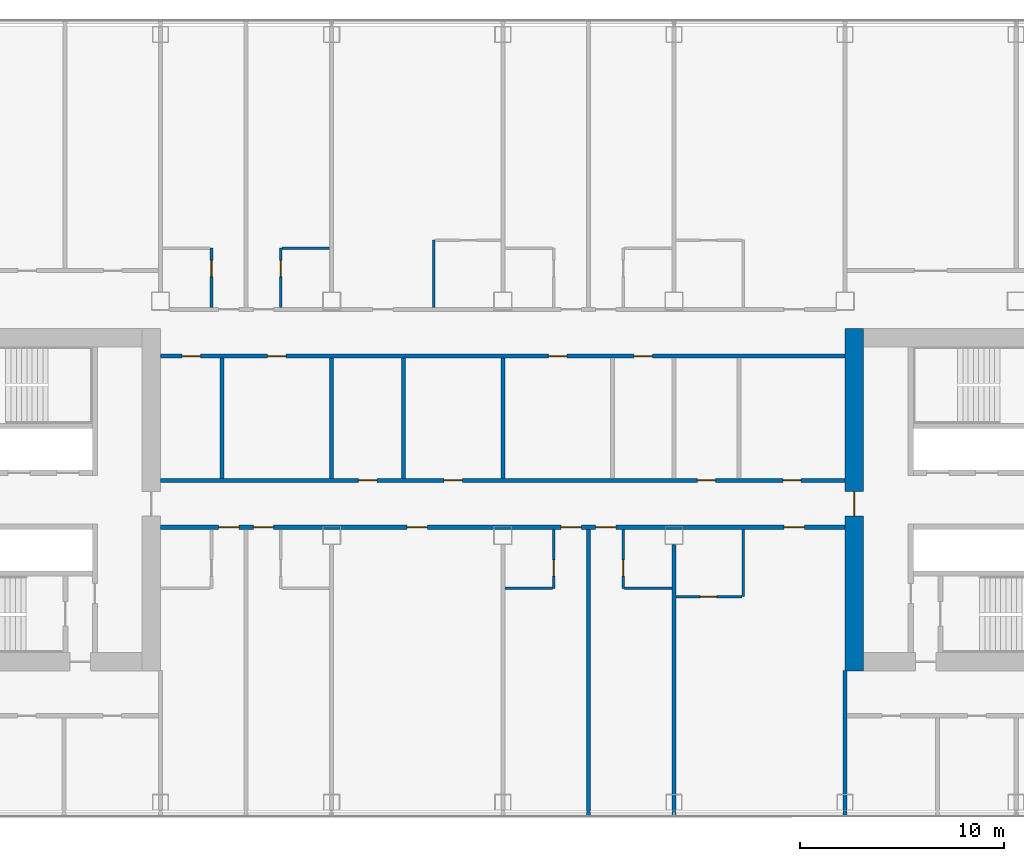
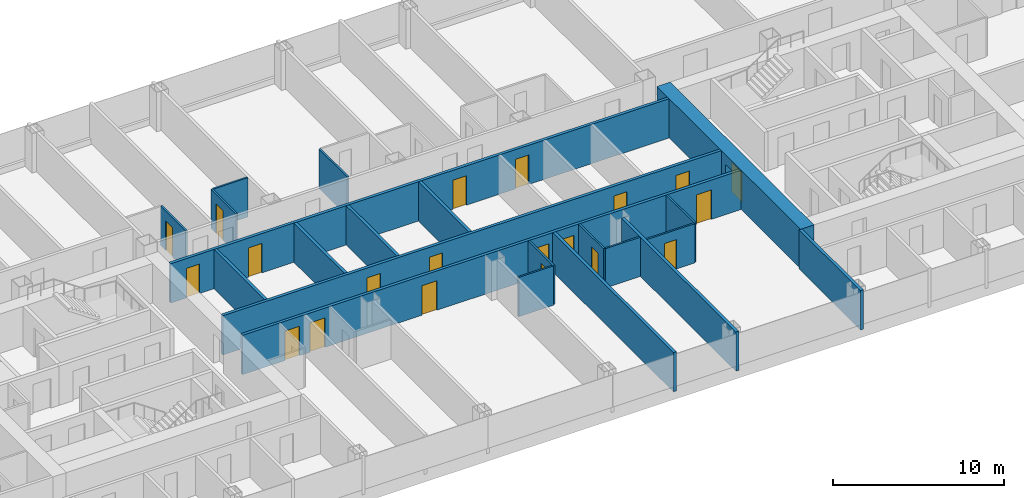
# One storey, part 17 of 29: 21 walls, 20 doors, 20 openings.
"""IFC4 building model written with IfcOpenShell, lengths in metres."""

import ifcopenshell
import ifcopenshell.guid

model = None  # the IFC model being written
_history = None  # IfcOwnerHistory: only IFC2X3 demands one
_inside = {}  # id of a spatial element -> (the spatial element, [elements in it])
_under = {}  # id of a project, library or spatial element -> (it, [spatial elements below it])
_declared = {}  # id of a project -> (the project, [libraries it declares])
_typed = {}  # id of a type object -> (the type object, [elements of that type])
_made_of = {}  # id of a material, layer set ... -> (it, [elements and type objects made of it])


def new_model(schema):
    """Start an empty IFC model of exactly this schema.

    Asked for "IFC4X3", IfcOpenShell would pick the latest addendum, in which some entities
    have other attributes; the version numbers below select the first issue.
    IFC2X3 requires an IfcOwnerHistory on every rooted entity: one is made here for all.
    """
    global model, _history
    if schema == "IFC4X3":
        model = ifcopenshell.file(schema_version=(4, 3, 0, 0))
    else:
        model = ifcopenshell.file(schema=schema)
    _inside.clear()
    _under.clear()
    _declared.clear()
    _typed.clear()
    _made_of.clear()
    _history = None
    if model.schema == "IFC2X3":
        org = make("IfcOrganization", Name="unknown")
        user = make(
            "IfcPersonAndOrganization",
            ThePerson=make("IfcPerson", FamilyName="unknown"),
            TheOrganization=org,
        )
        app = make(
            "IfcApplication",
            ApplicationDeveloper=org,
            Version="unknown",
            ApplicationFullName="unknown",
            ApplicationIdentifier="unknown",
        )
        _history = make(
            "IfcOwnerHistory",
            OwningUser=user,
            OwningApplication=app,
            ChangeAction="ADDED",
            CreationDate=0,
        )
    return model


def make(cls, **values):
    """One entity of the class cls with the attributes given. An attribute that is None is left unset."""
    return model.create_entity(
        cls, **{name: value for name, value in values.items() if value is not None}
    )


def rooted(cls, **values):
    """An entity with a GlobalId (a new one), such as an element, a storey or a relation."""
    return make(cls, GlobalId=ifcopenshell.guid.new(), OwnerHistory=_history, **values)


def si_unit(unit_type, name, prefix=None):
    """IfcSIUnit, for example si_unit("LENGTHUNIT", "METRE", prefix="MILLI")."""
    return make("IfcSIUnit", UnitType=unit_type, Prefix=prefix, Name=name)


def assignment(units):
    """IfcUnitAssignment: the units of a project."""
    return None if units is None else make("IfcUnitAssignment", Units=units)


def point(xyz):
    """IfcCartesianPoint."""
    return None if xyz is None else make("IfcCartesianPoint", Coordinates=xyz)


def direction(xyz):
    """IfcDirection."""
    return None if xyz is None else make("IfcDirection", DirectionRatios=xyz)


def frame(location, z_axis=None, x_axis=None):
    """IfcAxis2Placement3D, a coordinate frame: its origin and axes. An axis left out is left unset."""
    return make(
        "IfcAxis2Placement3D",
        Location=point(location),
        Axis=direction(z_axis),
        RefDirection=direction(x_axis),
    )


def frame_2d(location, x_axis=None):
    """IfcAxis2Placement2D, a coordinate frame in the plane: its origin and x axis."""
    return make(
        "IfcAxis2Placement2D", Location=point(location), RefDirection=direction(x_axis)
    )


def origin():
    """The frame at (0, 0, 0) with its axes left unset."""
    return frame((0.0, 0.0, 0.0))


def place(relative_to, where):
    """IfcLocalPlacement: puts the frame where relative to a parent placement (None: the world)."""
    return make(
        "IfcLocalPlacement", PlacementRelTo=relative_to, RelativePlacement=where
    )


def context(
    kind, dimensions, precision=None, world=None, true_north=None, identifier=None
):
    """IfcGeometricRepresentationContext, for example the 3D "Model" context."""
    return make(
        "IfcGeometricRepresentationContext",
        ContextIdentifier=identifier,
        ContextType=kind,
        CoordinateSpaceDimension=dimensions,
        Precision=precision,
        WorldCoordinateSystem=world,
        TrueNorth=true_north,
    )


def subcontext(parent, identifier, kind, view, scale=None):
    """IfcGeometricRepresentationSubContext, for example "Body" below "Model"."""
    return make(
        "IfcGeometricRepresentationSubContext",
        ContextIdentifier=identifier,
        ContextType=kind,
        ParentContext=parent,
        TargetScale=scale,
        TargetView=view,
    )


def project(units=None, contexts=None):
    """IfcProject with its units and contexts."""
    return rooted(
        "IfcProject",
        Name="project",
        RepresentationContexts=contexts,
        UnitsInContext=assignment(units),
    )


def spatial(cls, under=None, at=None, **own):
    """A site, building, storey or space (cls), placed at a placement, below another one or the project."""
    s = rooted(cls, ObjectPlacement=at, **own)
    if under is not None:
        _under.setdefault(under.id(), (under, []))[1].append(s)
    return s


def profile(cls, at=None, kind="AREA", **sizes):
    """A parametric profile (cls). Its sizes go by their IFC names, for example OverallWidth=200.0."""
    return make(cls, ProfileType=kind, Position=at, **sizes)


def rectangle(**sizes):
    """IfcRectangleProfileDef."""
    return profile("IfcRectangleProfileDef", **sizes)


def extrude(swept, where, along, depth):
    """IfcExtrudedAreaSolid: the profile swept, set in the frame where, extruded along a direction by depth."""
    return make(
        "IfcExtrudedAreaSolid",
        SweptArea=swept,
        Position=where,
        ExtrudedDirection=direction(along),
        Depth=depth,
    )


def shape(context_of_items, identifier, shape_type, items):
    """IfcShapeRepresentation: the items that make up one representation, for example the "Body"."""
    return make(
        "IfcShapeRepresentation",
        ContextOfItems=context_of_items,
        RepresentationIdentifier=identifier,
        RepresentationType=shape_type,
        Items=items,
    )


def material(Name=None, Category=None):
    """IfcMaterial."""
    return make("IfcMaterial", Name=Name, Category=Category)


def layer(
    of_material, thickness, ventilated=None, Name=None, Category=None, Priority=None
):
    """IfcMaterialLayer: one layer of a wall or slab, of a material (None: an air gap)."""
    return make(
        "IfcMaterialLayer",
        Material=of_material,
        LayerThickness=thickness,
        IsVentilated=ventilated,
        Name=Name,
        Category=Category,
        Priority=Priority,
    )


def layer_set(layers, Name=None):
    """IfcMaterialLayerSet."""
    return make("IfcMaterialLayerSet", MaterialLayers=layers, LayerSetName=Name)


def made_of(thing, what):
    """Note that an element or type object is made of a material, layer set ...; save() writes the relation."""
    if what is not None:
        _made_of.setdefault(what.id(), (what, []))[1].append(thing)
    return thing


def type_object(cls, material=None, **own):
    """A type object (cls), such as IfcWallType, which elements share."""
    return made_of(rooted(cls, **own), material)


def element(
    cls,
    number,
    at=None,
    inside=None,
    cuts=None,
    type_object=None,
    material=None,
    context=None,
    identifier="Body",
    shape_type=None,
    held_by="IfcProductDefinitionShape",
    body=None,
    shapes=None,
    **own,
):
    """One element of the class cls, such as IfcWall. Its Tag is "e" and its number.

    at: its placement. inside: the storey or other place that contains it. cuts: it is an
    opening in that element (IfcRelVoidsElement). A single representation is given by context,
    identifier, shape_type and body (its items); several are given by shapes. held_by: the class
    of the entity that holds the representations. save() writes the other relations.
    """
    e = rooted(cls, Tag="e%d" % number, ObjectPlacement=at, **own)
    if body is not None:
        shapes = [shape(context, identifier, shape_type, body)]
    if shapes is not None:
        e.Representation = make(held_by, Representations=shapes)
    if inside is not None:
        _inside.setdefault(inside.id(), (inside, []))[1].append(e)
    if cuts is not None:
        rooted(
            "IfcRelVoidsElement", RelatingBuildingElement=cuts, RelatedOpeningElement=e
        )
    if type_object is not None:
        _typed.setdefault(type_object.id(), (type_object, []))[1].append(e)
    return made_of(e, material)


def fill(opening, filler):
    """IfcRelFillsElement: the door or window that sits in an opening."""
    return rooted(
        "IfcRelFillsElement",
        RelatingOpeningElement=opening,
        RelatedBuildingElement=filler,
    )


def aggregate(whole, parts):
    """IfcRelAggregates: a whole, such as a stair, and the parts it consists of."""
    return rooted("IfcRelAggregates", RelatingObject=whole, RelatedObjects=parts)


def save(model, path):
    """Write the relations noted so far, then the file.

    IfcRelAggregates (storeys below a building ...), IfcRelContainedInSpatialStructure (elements
    in a storey), IfcRelDefinesByType, IfcRelAssociatesMaterial and IfcRelDeclares: one each for
    every whole, place, type object, material and project.
    """
    for whole, parts in _under.values():
        aggregate(whole, parts)
    for where, things in _inside.values():
        rooted(
            "IfcRelContainedInSpatialStructure",
            RelatedElements=things,
            RelatingStructure=where,
        )
    for kind, things in _typed.values():
        rooted("IfcRelDefinesByType", RelatedObjects=things, RelatingType=kind)
    for what, things in _made_of.values():
        rooted("IfcRelAssociatesMaterial", RelatedObjects=things, RelatingMaterial=what)
    for by, libraries in _declared.values():
        rooted("IfcRelDeclares", RelatingContext=by, RelatedDefinitions=libraries)
    model.write(path)


model = new_model("IFC4")

# Units and contexts
model_context = context("Model", 3, precision=1e-05, world=origin(), true_north=direction((0.0, 1.0)))
body_context = subcontext(model_context, "Body", "Model", "MODEL_VIEW")
ifc_project = project(units=[si_unit("LENGTHUNIT", "METRE"), si_unit("AREAUNIT", "SQUARE_METRE"), si_unit("VOLUMEUNIT", "CUBIC_METRE"), si_unit("PLANEANGLEUNIT", "RADIAN"), si_unit("MASSUNIT", "GRAM", prefix="KILO")], contexts=[model_context])

# Site, building, storey
site_placement = place(None, origin())
site = spatial("IfcSite", under=ifc_project, at=site_placement, CompositionType="ELEMENT")
building_placement = place(site_placement, origin())
building = spatial("IfcBuilding", under=site, at=building_placement, Name="Hakoniwa Tower and Hamabe Station Hall", CompositionType="ELEMENT")
storey_placement = place(building_placement, frame((0.0, 0.0, 85.0)))
storey = spatial("IfcBuildingStorey", under=building, at=storey_placement, Name="L23", CompositionType="ELEMENT", Elevation=85.0)

# Wall, opening, door
ifc_material_1 = material(Name="Gypsum board partition", Category="gypsum")
ifc_layer_1 = layer(ifc_material_1, 0.125)
ifc_layer_set_1 = layer_set([ifc_layer_1], Name="Bathroom Partition 125")
wall_type_1 = type_object("IfcWallType", Name="Bathroom Partition 125", PredefinedType="PARTITIONING", material=ifc_layer_set_1)
wall_1_placement = place(storey_placement, frame((8.5, -4.75, 0.0), z_axis=(0.0, 0.0, 1.0), x_axis=(1.0, 0.0, 0.0)))
wall_1 = element("IfcWall", 1, at=wall_1_placement, inside=storey, type_object=wall_type_1, Name="GW-L23-009", PredefinedType="PARTITIONING", context=body_context, shape_type="SweptSolid", body=[
    extrude(rectangle(XDim=3.237548828125, YDim=0.125, at=frame_2d((1.61865234375, 0.0))), origin(), (0.0, 0.0, 1.0), 2.800048828125),
])
opening_1_placement = place(wall_1_placement, frame((1.199951171875, 0.0, 0.0)))
opening_1 = element("IfcOpeningElement", 2, at=opening_1_placement, cuts=wall_1, Name="Opening GD-G2D0-19", PredefinedType="OPENING", context=body_context, shape_type="SweptSolid", body=[
    extrude(rectangle(XDim=0.800048828125, YDim=2.10009765625, at=frame_2d((0.39990234375, 1.050048828125))), frame((0.0, 0.072509765625, 0.0), z_axis=(0.0, -1.0, 0.0), x_axis=(1.0, 0.0, 0.0)), (0.0, 0.0, 1.0), 0.14501953125),
])
ifc_material_2 = material(Name="Timber door leaf", Category="wood")
door_type_1 = type_object("IfcDoorType", Name="Bathroom Door 800", OperationType="SINGLE_SWING_LEFT", PredefinedType="DOOR", material=ifc_material_2)
door_1_placement = place(opening_1_placement, origin())
door_1 = element("IfcDoor", 3, at=door_1_placement, inside=storey, type_object=door_type_1, Name="Door GD-G2D0-19", OperationType="SINGLE_SWING_LEFT", OverallHeight=2.10009765625, OverallWidth=0.800048828125, PredefinedType="DOOR", context=body_context, shape_type="SweptSolid", body=[
    extrude(rectangle(XDim=0.800048828125, YDim=2.10009765625, at=frame_2d((0.39990234375, 1.050048828125))), frame((0.0, 0.02490234375, 0.0), z_axis=(0.0, -1.0, 0.0), x_axis=(1.0, 0.0, 0.0)), (0.0, 0.0, 1.0), 0.050048828125),
])
fill(opening_1, door_1)

# Walls
wall_2_placement = place(storey_placement, frame((0.10009765625, -4.35009765625, 0.0), z_axis=(0.0, 0.0, 1.0), x_axis=(1.0, 0.0, 0.0)))
element("IfcWall", 4, at=wall_2_placement, inside=storey, type_object=wall_type_1, Name="GW-L23-012", PredefinedType="PARTITIONING", context=body_context, shape_type="SweptSolid", body=[
    extrude(rectangle(XDim=2.33740234375, YDim=0.125, at=frame_2d((1.168701171875, 0.0))), origin(), (0.0, 0.0, 1.0), 2.800048828125),
])
wall_3_placement = place(storey_placement, frame((5.96240234375, -4.35009765625, 0.0), z_axis=(0.0, 0.0, 1.0), x_axis=(1.0, 0.0, 0.0)))
element("IfcWall", 5, at=wall_3_placement, inside=storey, type_object=wall_type_1, Name="GW-L23-013", PredefinedType="PARTITIONING", context=body_context, shape_type="SweptSolid", body=[
    extrude(rectangle(XDim=2.337646484375, YDim=0.125, at=frame_2d((1.1689453125, 0.0))), origin(), (0.0, 0.0, 1.0), 2.800048828125),
])
wall_4_placement = place(storey_placement, frame((-10.83740234375, 12.35009765625, 0.0), z_axis=(0.0, 0.0, 1.0), x_axis=(1.0, 0.0, 0.0)))
element("IfcWall", 6, at=wall_4_placement, inside=storey, type_object=wall_type_1, Name="GW-L23-027", PredefinedType="PARTITIONING", context=body_context, shape_type="SweptSolid", body=[
    extrude(rectangle(XDim=2.33740234375, YDim=0.125, at=frame_2d((1.168701171875, 0.0))), origin(), (0.0, 0.0, 1.0), 2.800048828125),
])

# Wall, opening, door
wall_5_placement = place(storey_placement, frame((-14.300048828125, 9.449951171875, 0.0), z_axis=(0.0, 0.0, 1.0), x_axis=(0.0, 1.0, 0.0)))
wall_5 = element("IfcWall", 7, at=wall_5_placement, inside=storey, type_object=wall_type_1, Name="GW-L23-052", PredefinedType="PARTITIONING", context=body_context, shape_type="SweptSolid", body=[
    extrude(rectangle(XDim=2.900146484375, YDim=0.125, at=frame_2d((1.4501953125, 0.0))), origin(), (0.0, 0.0, 1.0), 2.800048828125),
])
opening_2_placement = place(wall_5_placement, frame((1.5, 0.0, 0.0)))
opening_2 = element("IfcOpeningElement", 8, at=opening_2_placement, cuts=wall_5, Name="Opening GD-G2D0-60", PredefinedType="OPENING", context=body_context, shape_type="SweptSolid", body=[
    extrude(rectangle(XDim=0.800048828125, YDim=2.10009765625, at=frame_2d((0.39990234375, 1.050048828125))), frame((0.0, 0.072509765625, 0.0), z_axis=(0.0, -1.0, 0.0), x_axis=(1.0, 0.0, 0.0)), (0.0, 0.0, 1.0), 0.14501953125),
])
door_2_placement = place(opening_2_placement, origin())
door_2 = element("IfcDoor", 9, at=door_2_placement, inside=storey, type_object=door_type_1, Name="Door GD-G2D0-60", OperationType="SINGLE_SWING_LEFT", OverallHeight=2.10009765625, OverallWidth=0.800048828125, PredefinedType="DOOR", context=body_context, shape_type="SweptSolid", body=[
    extrude(rectangle(XDim=0.800048828125, YDim=2.10009765625, at=frame_2d((0.39990234375, 1.050048828125))), frame((0.0, 0.02490234375, 0.0), z_axis=(0.0, -1.0, 0.0), x_axis=(1.0, 0.0, 0.0)), (0.0, 0.0, 1.0), 0.050048828125),
])
fill(opening_2, door_2)

wall_6_placement = place(storey_placement, frame((-10.89990234375, 9.449951171875, 0.0), z_axis=(0.0, 0.0, 1.0), x_axis=(0.0, 1.0, 0.0)))
wall_6 = element("IfcWall", 10, at=wall_6_placement, inside=storey, type_object=wall_type_1, Name="GW-L23-057", PredefinedType="PARTITIONING", context=body_context, shape_type="SweptSolid", body=[
    extrude(rectangle(XDim=2.900146484375, YDim=0.125, at=frame_2d((1.4501953125, 0.0))), origin(), (0.0, 0.0, 1.0), 2.800048828125),
])
opening_3_placement = place(wall_6_placement, frame((1.5, 0.0, 0.0)))
opening_3 = element("IfcOpeningElement", 11, at=opening_3_placement, cuts=wall_6, Name="Opening GD-G2D0-62", PredefinedType="OPENING", context=body_context, shape_type="SweptSolid", body=[
    extrude(rectangle(XDim=0.800048828125, YDim=2.10009765625, at=frame_2d((0.39990234375, 1.050048828125))), frame((0.0, 0.072509765625, 0.0), z_axis=(0.0, -1.0, 0.0), x_axis=(1.0, 0.0, 0.0)), (0.0, 0.0, 1.0), 0.14501953125),
])
door_3_placement = place(opening_3_placement, origin())
door_3 = element("IfcDoor", 12, at=door_3_placement, inside=storey, type_object=door_type_1, Name="Door GD-G2D0-62", OperationType="SINGLE_SWING_RIGHT", OverallHeight=2.10009765625, OverallWidth=0.800048828125, PredefinedType="DOOR", context=body_context, shape_type="SweptSolid", body=[
    extrude(rectangle(XDim=0.800048828125, YDim=2.10009765625, at=frame_2d((0.39990234375, 1.050048828125))), frame((0.0, 0.02490234375, 0.0), z_axis=(0.0, -1.0, 0.0), x_axis=(1.0, 0.0, 0.0)), (0.0, 0.0, 1.0), 0.050048828125),
])
fill(opening_3, door_3)

# Wall
wall_7_placement = place(storey_placement, frame((-3.39990234375, 9.449951171875, 0.0), z_axis=(0.0, 0.0, 1.0), x_axis=(0.0, 1.0, 0.0)))
element("IfcWall", 13, at=wall_7_placement, inside=storey, type_object=wall_type_1, Name="GW-L23-062", PredefinedType="PARTITIONING", context=body_context, shape_type="SweptSolid", body=[
    extrude(rectangle(XDim=3.300048828125, YDim=0.125, at=frame_2d((1.64990234375, 0.0))), origin(), (0.0, 0.0, 1.0), 2.800048828125),
])

# Wall, opening, door
wall_8_placement = place(storey_placement, frame((2.5, -4.35009765625, 0.0), z_axis=(0.0, 0.0, 1.0), x_axis=(0.0, 1.0, 0.0)))
wall_8 = element("IfcWall", 14, at=wall_8_placement, inside=storey, type_object=wall_type_1, Name="GW-L23-066", PredefinedType="PARTITIONING", context=body_context, shape_type="SweptSolid", body=[
    extrude(rectangle(XDim=2.900146484375, YDim=0.125, at=frame_2d((1.4501953125, 0.0))), origin(), (0.0, 0.0, 1.0), 2.800048828125),
])
opening_4_placement = place(wall_8_placement, frame((0.60009765625, 0.0, 0.0)))
opening_4 = element("IfcOpeningElement", 15, at=opening_4_placement, cuts=wall_8, Name="Opening GD-G2D0-63", PredefinedType="OPENING", context=body_context, shape_type="SweptSolid", body=[
    extrude(rectangle(XDim=0.800048828125, YDim=2.10009765625, at=frame_2d((0.39990234375, 1.050048828125))), frame((0.0, 0.072509765625, 0.0), z_axis=(0.0, -1.0, 0.0), x_axis=(1.0, 0.0, 0.0)), (0.0, 0.0, 1.0), 0.14501953125),
])
door_4_placement = place(opening_4_placement, origin())
door_4 = element("IfcDoor", 16, at=door_4_placement, inside=storey, type_object=door_type_1, Name="Door GD-G2D0-63", OperationType="SINGLE_SWING_RIGHT", OverallHeight=2.10009765625, OverallWidth=0.800048828125, PredefinedType="DOOR", context=body_context, shape_type="SweptSolid", body=[
    extrude(rectangle(XDim=0.800048828125, YDim=2.10009765625, at=frame_2d((0.39990234375, 1.050048828125))), frame((0.0, 0.02490234375, 0.0), z_axis=(0.0, -1.0, 0.0), x_axis=(1.0, 0.0, 0.0)), (0.0, 0.0, 1.0), 0.050048828125),
])
fill(opening_4, door_4)

wall_9_placement = place(storey_placement, frame((5.89990234375, -4.35009765625, 0.0), z_axis=(0.0, 0.0, 1.0), x_axis=(0.0, 1.0, 0.0)))
wall_9 = element("IfcWall", 17, at=wall_9_placement, inside=storey, type_object=wall_type_1, Name="GW-L23-071", PredefinedType="PARTITIONING", context=body_context, shape_type="SweptSolid", body=[
    extrude(rectangle(XDim=2.900146484375, YDim=0.125, at=frame_2d((1.4501953125, 0.0))), origin(), (0.0, 0.0, 1.0), 2.800048828125),
])
opening_5_placement = place(wall_9_placement, frame((0.60009765625, 0.0, 0.0)))
opening_5 = element("IfcOpeningElement", 18, at=opening_5_placement, cuts=wall_9, Name="Opening GD-G2D0-65", PredefinedType="OPENING", context=body_context, shape_type="SweptSolid", body=[
    extrude(rectangle(XDim=0.800048828125, YDim=2.10009765625, at=frame_2d((0.39990234375, 1.050048828125))), frame((0.0, 0.072509765625, 0.0), z_axis=(0.0, -1.0, 0.0), x_axis=(1.0, 0.0, 0.0)), (0.0, 0.0, 1.0), 0.14501953125),
])
door_5_placement = place(opening_5_placement, origin())
door_5 = element("IfcDoor", 19, at=door_5_placement, inside=storey, type_object=door_type_1, Name="Door GD-G2D0-65", OperationType="SINGLE_SWING_LEFT", OverallHeight=2.10009765625, OverallWidth=0.800048828125, PredefinedType="DOOR", context=body_context, shape_type="SweptSolid", body=[
    extrude(rectangle(XDim=0.800048828125, YDim=2.10009765625, at=frame_2d((0.39990234375, 1.050048828125))), frame((0.0, 0.02490234375, 0.0), z_axis=(0.0, -1.0, 0.0), x_axis=(1.0, 0.0, 0.0)), (0.0, 0.0, 1.0), 0.050048828125),
])
fill(opening_5, door_5)

# Wall
wall_10_placement = place(storey_placement, frame((11.800048828125, -4.75, 0.0), z_axis=(0.0, 0.0, 1.0), x_axis=(0.0, 1.0, 0.0)))
element("IfcWall", 20, at=wall_10_placement, inside=storey, type_object=wall_type_1, Name="GW-L23-077", PredefinedType="PARTITIONING", context=body_context, shape_type="SweptSolid", body=[
    extrude(rectangle(XDim=3.300048828125, YDim=0.125, at=frame_2d((1.64990234375, 0.0))), origin(), (0.0, 0.0, 1.0), 2.800048828125),
])

# Wall, opening, door
ifc_material_3 = material(Name="Concrete C72", Category="concrete")
ifc_layer_2 = layer(ifc_material_3, 0.89990234375)
ifc_layer_set_2 = layer_set([ifc_layer_2], Name="CORE WALL 900 C72")
wall_type_2 = type_object("IfcWallType", Name="CORE WALL 900 C72", PredefinedType="SHEAR", material=ifc_layer_set_2)
wall_11_placement = place(storey_placement, frame((17.25, -8.39990234375, 0.0), z_axis=(0.0, 0.0, 1.0), x_axis=(0.0, 1.0, 0.0)))
wall_11 = element("IfcWall", 21, at=wall_11_placement, inside=storey, type_object=wall_type_2, Name="Core wall INNER east", PredefinedType="SHEAR", context=body_context, shape_type="SweptSolid", body=[
    extrude(rectangle(XDim=16.7998046875, YDim=0.89990234375, at=frame_2d((8.39990234375, 0.0))), origin(), (0.0, 0.0, 1.0), 2.800048828125),
])
opening_6_placement = place(wall_11_placement, frame((7.60009765625, 0.0, 0.0)))
opening_6 = element("IfcOpeningElement", 22, at=opening_6_placement, cuts=wall_11, Name="Opening CD-E-IN1-12", PredefinedType="OPENING", context=body_context, shape_type="SweptSolid", body=[
    extrude(rectangle(XDim=1.199951171875, YDim=2.10009765625, at=frame_2d((0.60009765625, 1.050048828125))), frame((0.0, 0.4599609375, 0.0), z_axis=(0.0, -1.0, 0.0), x_axis=(1.0, 0.0, 0.0)), (0.0, 0.0, 1.0), 0.919921875),
])
ifc_material_4 = material(Name="Steel fire door", Category="steel")
door_type_2 = type_object("IfcDoorType", Name="CORE DOOR 1200 FD60", OperationType="DOUBLE_DOOR_SINGLE_SWING", PredefinedType="DOOR", material=ifc_material_4)
door_6_placement = place(opening_6_placement, origin())
door_6 = element("IfcDoor", 23, at=door_6_placement, inside=storey, type_object=door_type_2, Name="Lift lobby door", OperationType="DOUBLE_DOOR_SINGLE_SWING", OverallHeight=2.10009765625, OverallWidth=1.199951171875, PredefinedType="DOOR", context=body_context, shape_type="SweptSolid", body=[
    extrude(rectangle(XDim=1.199951171875, YDim=2.10009765625, at=frame_2d((0.60009765625, 1.050048828125))), frame((0.0, 0.02490234375, 0.0), z_axis=(0.0, -1.0, 0.0), x_axis=(1.0, 0.0, 0.0)), (0.0, 0.0, 1.0), 0.050048828125),
])
fill(opening_6, door_6)

# Wall, openings, doors
ifc_material_5 = material(Name="Fire-rated gypsum board partition", Category="gypsum")
ifc_layer_3 = layer(ifc_material_5, 0.199951171875)
ifc_layer_set_3 = layer_set([ifc_layer_3], Name="Corridor Wall 200")
wall_type_3 = type_object("IfcWallType", Name="Corridor Wall 200", PredefinedType="PARTITIONING", material=ifc_layer_set_3)
wall_12_placement = place(storey_placement, frame((-16.800048828125, -1.35009765625, 0.0), z_axis=(0.0, 0.0, 1.0), x_axis=(1.0, 0.0, 0.0)))
wall_12 = element("IfcWall", 24, at=wall_12_placement, inside=storey, type_object=wall_type_3, Name="GW-L23-014", PredefinedType="PARTITIONING", context=body_context, shape_type="SweptSolid", body=[
    extrude(rectangle(XDim=33.60009765625, YDim=0.199951171875, at=frame_2d((16.800048828125, 0.0))), origin(), (0.0, 0.0, 1.0), 2.800048828125),
])
opening_7_placement = place(wall_12_placement, frame((2.85009765625, 0.0, 0.0)))
opening_7 = element("IfcOpeningElement", 25, at=opening_7_placement, cuts=wall_12, Name="Opening GD-G2D0-20", PredefinedType="OPENING", context=body_context, shape_type="SweptSolid", body=[
    extrude(rectangle(XDim=1.0, YDim=2.10009765625, at=frame_2d((0.5, 1.050048828125))), frame((0.0, 0.10986328125, 0.0), z_axis=(0.0, -1.0, 0.0), x_axis=(1.0, 0.0, 0.0)), (0.0, 0.0, 1.0), 0.219970703125),
])
opening_8_placement = place(wall_12_placement, frame((4.550048828125, 0.0, 0.0)))
opening_8 = element("IfcOpeningElement", 26, at=opening_8_placement, cuts=wall_12, Name="Opening GD-G2D0-21", PredefinedType="OPENING", context=body_context, shape_type="SweptSolid", body=[
    extrude(rectangle(XDim=1.0, YDim=2.10009765625, at=frame_2d((0.5, 1.050048828125))), frame((0.0, 0.10986328125, 0.0), z_axis=(0.0, -1.0, 0.0), x_axis=(1.0, 0.0, 0.0)), (0.0, 0.0, 1.0), 0.219970703125),
])
opening_9_placement = place(wall_12_placement, frame((12.10009765625, 0.0, 0.0)))
opening_9 = element("IfcOpeningElement", 27, at=opening_9_placement, cuts=wall_12, Name="Opening GD-G2D0-22", PredefinedType="OPENING", context=body_context, shape_type="SweptSolid", body=[
    extrude(rectangle(XDim=1.0, YDim=2.10009765625, at=frame_2d((0.5, 1.050048828125))), frame((0.0, 0.10986328125, 0.0), z_axis=(0.0, -1.0, 0.0), x_axis=(1.0, 0.0, 0.0)), (0.0, 0.0, 1.0), 0.219970703125),
])
opening_10_placement = place(wall_12_placement, frame((19.64990234375, 0.0, 0.0)))
opening_10 = element("IfcOpeningElement", 28, at=opening_10_placement, cuts=wall_12, Name="Opening GD-G2D0-23", PredefinedType="OPENING", context=body_context, shape_type="SweptSolid", body=[
    extrude(rectangle(XDim=1.0, YDim=2.10009765625, at=frame_2d((0.5, 1.050048828125))), frame((0.0, 0.10986328125, 0.0), z_axis=(0.0, -1.0, 0.0), x_axis=(1.0, 0.0, 0.0)), (0.0, 0.0, 1.0), 0.219970703125),
])
opening_11_placement = place(wall_12_placement, frame((21.35009765625, 0.0, 0.0)))
opening_11 = element("IfcOpeningElement", 29, at=opening_11_placement, cuts=wall_12, Name="Opening GD-G2D0-24", PredefinedType="OPENING", context=body_context, shape_type="SweptSolid", body=[
    extrude(rectangle(XDim=1.0, YDim=2.10009765625, at=frame_2d((0.5, 1.050048828125))), frame((0.0, 0.10986328125, 0.0), z_axis=(0.0, -1.0, 0.0), x_axis=(1.0, 0.0, 0.0)), (0.0, 0.0, 1.0), 0.219970703125),
])
opening_12_placement = place(wall_12_placement, frame((30.60009765625, 0.0, 0.0)))
opening_12 = element("IfcOpeningElement", 30, at=opening_12_placement, cuts=wall_12, Name="Opening GD-G2D0-25", PredefinedType="OPENING", context=body_context, shape_type="SweptSolid", body=[
    extrude(rectangle(XDim=1.0, YDim=2.10009765625, at=frame_2d((0.5, 1.050048828125))), frame((0.0, 0.10986328125, 0.0), z_axis=(0.0, -1.0, 0.0), x_axis=(1.0, 0.0, 0.0)), (0.0, 0.0, 1.0), 0.219970703125),
])
ifc_material_6 = material(Name="Timber door leaf", Category="wood")
door_type_3 = type_object("IfcDoorType", Name="Guest Entrance Door 1000", OperationType="SINGLE_SWING_LEFT", PredefinedType="DOOR", material=ifc_material_6)
door_7_placement = place(opening_7_placement, origin())
door_7 = element("IfcDoor", 31, at=door_7_placement, inside=storey, type_object=door_type_3, Name="Door GD-G2D0-20", OperationType="SINGLE_SWING_RIGHT", OverallHeight=2.10009765625, OverallWidth=1.0, PredefinedType="DOOR", context=body_context, shape_type="SweptSolid", body=[
    extrude(rectangle(XDim=1.0, YDim=2.10009765625, at=frame_2d((0.5, 1.050048828125))), frame((0.0, 0.02490234375, 0.0), z_axis=(0.0, -1.0, 0.0), x_axis=(1.0, 0.0, 0.0)), (0.0, 0.0, 1.0), 0.050048828125),
])
fill(opening_7, door_7)
door_8_placement = place(opening_8_placement, origin())
door_8 = element("IfcDoor", 32, at=door_8_placement, inside=storey, type_object=door_type_3, Name="Door GD-G2D0-21", OperationType="SINGLE_SWING_LEFT", OverallHeight=2.10009765625, OverallWidth=1.0, PredefinedType="DOOR", context=body_context, shape_type="SweptSolid", body=[
    extrude(rectangle(XDim=1.0, YDim=2.10009765625, at=frame_2d((0.5, 1.050048828125))), frame((0.0, 0.02490234375, 0.0), z_axis=(0.0, -1.0, 0.0), x_axis=(1.0, 0.0, 0.0)), (0.0, 0.0, 1.0), 0.050048828125),
])
fill(opening_8, door_8)
door_9_placement = place(opening_9_placement, origin())
door_9 = element("IfcDoor", 33, at=door_9_placement, inside=storey, type_object=door_type_3, Name="Door GD-G2D0-22", OperationType="SINGLE_SWING_RIGHT", OverallHeight=2.10009765625, OverallWidth=1.0, PredefinedType="DOOR", context=body_context, shape_type="SweptSolid", body=[
    extrude(rectangle(XDim=1.0, YDim=2.10009765625, at=frame_2d((0.5, 1.050048828125))), frame((0.0, 0.02490234375, 0.0), z_axis=(0.0, -1.0, 0.0), x_axis=(1.0, 0.0, 0.0)), (0.0, 0.0, 1.0), 0.050048828125),
])
fill(opening_9, door_9)
door_10_placement = place(opening_10_placement, origin())
door_10 = element("IfcDoor", 34, at=door_10_placement, inside=storey, type_object=door_type_3, Name="Door GD-G2D0-23", OperationType="SINGLE_SWING_LEFT", OverallHeight=2.10009765625, OverallWidth=1.0, PredefinedType="DOOR", context=body_context, shape_type="SweptSolid", body=[
    extrude(rectangle(XDim=1.0, YDim=2.10009765625, at=frame_2d((0.5, 1.050048828125))), frame((0.0, 0.02490234375, 0.0), z_axis=(0.0, -1.0, 0.0), x_axis=(1.0, 0.0, 0.0)), (0.0, 0.0, 1.0), 0.050048828125),
])
fill(opening_10, door_10)
door_11_placement = place(opening_11_placement, origin())
door_11 = element("IfcDoor", 35, at=door_11_placement, inside=storey, type_object=door_type_3, Name="Door GD-G2D0-24", OperationType="SINGLE_SWING_RIGHT", OverallHeight=2.10009765625, OverallWidth=1.0, PredefinedType="DOOR", context=body_context, shape_type="SweptSolid", body=[
    extrude(rectangle(XDim=1.0, YDim=2.10009765625, at=frame_2d((0.5, 1.050048828125))), frame((0.0, 0.02490234375, 0.0), z_axis=(0.0, -1.0, 0.0), x_axis=(1.0, 0.0, 0.0)), (0.0, 0.0, 1.0), 0.050048828125),
])
fill(opening_11, door_11)
door_12_placement = place(opening_12_placement, origin())
door_12 = element("IfcDoor", 36, at=door_12_placement, inside=storey, type_object=door_type_3, Name="Door GD-G2D0-25", OperationType="SINGLE_SWING_LEFT", OverallHeight=2.10009765625, OverallWidth=1.0, PredefinedType="DOOR", context=body_context, shape_type="SweptSolid", body=[
    extrude(rectangle(XDim=1.0, YDim=2.10009765625, at=frame_2d((0.5, 1.050048828125))), frame((0.0, 0.02490234375, 0.0), z_axis=(0.0, -1.0, 0.0), x_axis=(1.0, 0.0, 0.0)), (0.0, 0.0, 1.0), 0.050048828125),
])
fill(opening_12, door_12)

wall_13_placement = place(storey_placement, frame((-16.800048828125, 0.949951171875, 0.0), z_axis=(0.0, 0.0, 1.0), x_axis=(1.0, 0.0, 0.0)))
wall_13 = element("IfcWall", 37, at=wall_13_placement, inside=storey, type_object=wall_type_3, Name="GW-L23-017", PredefinedType="PARTITIONING", context=body_context, shape_type="SweptSolid", body=[
    extrude(rectangle(XDim=33.60009765625, YDim=0.199951171875, at=frame_2d((16.800048828125, 0.0))), origin(), (0.0, 0.0, 1.0), 2.800048828125),
])
opening_13_placement = place(wall_13_placement, frame((9.715087890625, 0.0, 0.0)))
opening_13 = element("IfcOpeningElement", 38, at=opening_13_placement, cuts=wall_13, Name="Opening GD-G2D0-26", PredefinedType="OPENING", context=body_context, shape_type="SweptSolid", body=[
    extrude(rectangle(XDim=0.89990234375, YDim=2.10009765625, at=frame_2d((0.449951171875, 1.050048828125))), frame((0.0, 0.10986328125, 0.0), z_axis=(0.0, -1.0, 0.0), x_axis=(1.0, 0.0, 0.0)), (0.0, 0.0, 1.0), 0.219970703125),
])
opening_14_placement = place(wall_13_placement, frame((13.9150390625, 0.0, 0.0)))
opening_14 = element("IfcOpeningElement", 39, at=opening_14_placement, cuts=wall_13, Name="Opening GD-G2D0-27", PredefinedType="OPENING", context=body_context, shape_type="SweptSolid", body=[
    extrude(rectangle(XDim=0.89990234375, YDim=2.10009765625, at=frame_2d((0.449951171875, 1.050048828125))), frame((0.0, 0.10986328125, 0.0), z_axis=(0.0, -1.0, 0.0), x_axis=(1.0, 0.0, 0.0)), (0.0, 0.0, 1.0), 0.219970703125),
])
opening_15_placement = place(wall_13_placement, frame((26.344970703125, 0.0, 0.0)))
opening_15 = element("IfcOpeningElement", 40, at=opening_15_placement, cuts=wall_13, Name="Opening GD-G2D0-28", PredefinedType="OPENING", context=body_context, shape_type="SweptSolid", body=[
    extrude(rectangle(XDim=0.89990234375, YDim=2.10009765625, at=frame_2d((0.449951171875, 1.050048828125))), frame((0.0, 0.10986328125, 0.0), z_axis=(0.0, -1.0, 0.0), x_axis=(1.0, 0.0, 0.0)), (0.0, 0.0, 1.0), 0.219970703125),
])
opening_16_placement = place(wall_13_placement, frame((30.544921875, 0.0, 0.0)))
opening_16 = element("IfcOpeningElement", 41, at=opening_16_placement, cuts=wall_13, Name="Opening GD-G2D0-29", PredefinedType="OPENING", context=body_context, shape_type="SweptSolid", body=[
    extrude(rectangle(XDim=0.89990234375, YDim=2.10009765625, at=frame_2d((0.449951171875, 1.050048828125))), frame((0.0, 0.10986328125, 0.0), z_axis=(0.0, -1.0, 0.0), x_axis=(1.0, 0.0, 0.0)), (0.0, 0.0, 1.0), 0.219970703125),
])
ifc_material_7 = material(Name="Timber door leaf", Category="wood")
door_type_4 = type_object("IfcDoorType", Name="Service Door 900", OperationType="SINGLE_SWING_LEFT", PredefinedType="DOOR", material=ifc_material_7)
door_13_placement = place(opening_13_placement, origin())
door_13 = element("IfcDoor", 42, at=door_13_placement, inside=storey, type_object=door_type_4, Name="Door GD-G2D0-26", OperationType="SINGLE_SWING_LEFT", OverallHeight=2.10009765625, OverallWidth=0.89990234375, PredefinedType="DOOR", context=body_context, shape_type="SweptSolid", body=[
    extrude(rectangle(XDim=0.89990234375, YDim=2.10009765625, at=frame_2d((0.449951171875, 1.050048828125))), frame((0.0, 0.02490234375, 0.0), z_axis=(0.0, -1.0, 0.0), x_axis=(1.0, 0.0, 0.0)), (0.0, 0.0, 1.0), 0.050048828125),
])
fill(opening_13, door_13)
door_14_placement = place(opening_14_placement, origin())
door_14 = element("IfcDoor", 43, at=door_14_placement, inside=storey, type_object=door_type_4, Name="Door GD-G2D0-27", OperationType="SINGLE_SWING_RIGHT", OverallHeight=2.10009765625, OverallWidth=0.89990234375, PredefinedType="DOOR", context=body_context, shape_type="SweptSolid", body=[
    extrude(rectangle(XDim=0.89990234375, YDim=2.10009765625, at=frame_2d((0.449951171875, 1.050048828125))), frame((0.0, 0.02490234375, 0.0), z_axis=(0.0, -1.0, 0.0), x_axis=(1.0, 0.0, 0.0)), (0.0, 0.0, 1.0), 0.050048828125),
])
fill(opening_14, door_14)
door_15_placement = place(opening_15_placement, origin())
door_15 = element("IfcDoor", 44, at=door_15_placement, inside=storey, type_object=door_type_4, Name="Door GD-G2D0-28", OperationType="SINGLE_SWING_LEFT", OverallHeight=2.10009765625, OverallWidth=0.89990234375, PredefinedType="DOOR", context=body_context, shape_type="SweptSolid", body=[
    extrude(rectangle(XDim=0.89990234375, YDim=2.10009765625, at=frame_2d((0.449951171875, 1.050048828125))), frame((0.0, 0.02490234375, 0.0), z_axis=(0.0, -1.0, 0.0), x_axis=(1.0, 0.0, 0.0)), (0.0, 0.0, 1.0), 0.050048828125),
])
fill(opening_15, door_15)
door_16_placement = place(opening_16_placement, origin())
door_16 = element("IfcDoor", 45, at=door_16_placement, inside=storey, type_object=door_type_4, Name="Door GD-G2D0-29", OperationType="SINGLE_SWING_RIGHT", OverallHeight=2.10009765625, OverallWidth=0.89990234375, PredefinedType="DOOR", context=body_context, shape_type="SweptSolid", body=[
    extrude(rectangle(XDim=0.89990234375, YDim=2.10009765625, at=frame_2d((0.449951171875, 1.050048828125))), frame((0.0, 0.02490234375, 0.0), z_axis=(0.0, -1.0, 0.0), x_axis=(1.0, 0.0, 0.0)), (0.0, 0.0, 1.0), 0.050048828125),
])
fill(opening_16, door_16)

wall_14_placement = place(storey_placement, frame((-16.800048828125, 7.050048828125, 0.0), z_axis=(0.0, 0.0, 1.0), x_axis=(1.0, 0.0, 0.0)))
wall_14 = element("IfcWall", 46, at=wall_14_placement, inside=storey, type_object=wall_type_3, Name="GW-L23-020", PredefinedType="PARTITIONING", context=body_context, shape_type="SweptSolid", body=[
    extrude(rectangle(XDim=33.60009765625, YDim=0.199951171875, at=frame_2d((16.800048828125, 0.0))), origin(), (0.0, 0.0, 1.0), 2.800048828125),
])
opening_17_placement = place(wall_14_placement, frame((1.06005859375, 0.0, 0.0)))
opening_17 = element("IfcOpeningElement", 47, at=opening_17_placement, cuts=wall_14, Name="Opening GD-G2D0-32", PredefinedType="OPENING", context=body_context, shape_type="SweptSolid", body=[
    extrude(rectangle(XDim=0.89990234375, YDim=2.10009765625, at=frame_2d((0.449951171875, 1.050048828125))), frame((0.0, 0.10986328125, 0.0), z_axis=(0.0, -1.0, 0.0), x_axis=(1.0, 0.0, 0.0)), (0.0, 0.0, 1.0), 0.219970703125),
])
opening_18_placement = place(wall_14_placement, frame((5.260009765625, 0.0, 0.0)))
opening_18 = element("IfcOpeningElement", 48, at=opening_18_placement, cuts=wall_14, Name="Opening GD-G2D0-33", PredefinedType="OPENING", context=body_context, shape_type="SweptSolid", body=[
    extrude(rectangle(XDim=0.89990234375, YDim=2.10009765625, at=frame_2d((0.449951171875, 1.050048828125))), frame((0.0, 0.10986328125, 0.0), z_axis=(0.0, -1.0, 0.0), x_axis=(1.0, 0.0, 0.0)), (0.0, 0.0, 1.0), 0.219970703125),
])
opening_19_placement = place(wall_14_placement, frame((19.0400390625, 0.0, 0.0)))
opening_19 = element("IfcOpeningElement", 49, at=opening_19_placement, cuts=wall_14, Name="Opening GD-G2D0-34", PredefinedType="OPENING", context=body_context, shape_type="SweptSolid", body=[
    extrude(rectangle(XDim=0.89990234375, YDim=2.10009765625, at=frame_2d((0.449951171875, 1.050048828125))), frame((0.0, 0.10986328125, 0.0), z_axis=(0.0, -1.0, 0.0), x_axis=(1.0, 0.0, 0.0)), (0.0, 0.0, 1.0), 0.219970703125),
])
opening_20_placement = place(wall_14_placement, frame((23.239990234375, 0.0, 0.0)))
opening_20 = element("IfcOpeningElement", 50, at=opening_20_placement, cuts=wall_14, Name="Opening GD-G2D0-35", PredefinedType="OPENING", context=body_context, shape_type="SweptSolid", body=[
    extrude(rectangle(XDim=0.89990234375, YDim=2.10009765625, at=frame_2d((0.449951171875, 1.050048828125))), frame((0.0, 0.10986328125, 0.0), z_axis=(0.0, -1.0, 0.0), x_axis=(1.0, 0.0, 0.0)), (0.0, 0.0, 1.0), 0.219970703125),
])
door_17_placement = place(opening_17_placement, origin())
door_17 = element("IfcDoor", 51, at=door_17_placement, inside=storey, type_object=door_type_4, Name="Door GD-G2D0-32", OperationType="SINGLE_SWING_RIGHT", OverallHeight=2.10009765625, OverallWidth=0.89990234375, PredefinedType="DOOR", context=body_context, shape_type="SweptSolid", body=[
    extrude(rectangle(XDim=0.89990234375, YDim=2.10009765625, at=frame_2d((0.449951171875, 1.050048828125))), frame((0.0, 0.02490234375, 0.0), z_axis=(0.0, -1.0, 0.0), x_axis=(1.0, 0.0, 0.0)), (0.0, 0.0, 1.0), 0.050048828125),
])
fill(opening_17, door_17)
door_18_placement = place(opening_18_placement, origin())
door_18 = element("IfcDoor", 52, at=door_18_placement, inside=storey, type_object=door_type_4, Name="Door GD-G2D0-33", OperationType="SINGLE_SWING_RIGHT", OverallHeight=2.10009765625, OverallWidth=0.89990234375, PredefinedType="DOOR", context=body_context, shape_type="SweptSolid", body=[
    extrude(rectangle(XDim=0.89990234375, YDim=2.10009765625, at=frame_2d((0.449951171875, 1.050048828125))), frame((0.0, 0.02490234375, 0.0), z_axis=(0.0, -1.0, 0.0), x_axis=(1.0, 0.0, 0.0)), (0.0, 0.0, 1.0), 0.050048828125),
])
fill(opening_18, door_18)
door_19_placement = place(opening_19_placement, origin())
door_19 = element("IfcDoor", 53, at=door_19_placement, inside=storey, type_object=door_type_4, Name="Door GD-G2D0-34", OperationType="SINGLE_SWING_LEFT", OverallHeight=2.10009765625, OverallWidth=0.89990234375, PredefinedType="DOOR", context=body_context, shape_type="SweptSolid", body=[
    extrude(rectangle(XDim=0.89990234375, YDim=2.10009765625, at=frame_2d((0.449951171875, 1.050048828125))), frame((0.0, 0.02490234375, 0.0), z_axis=(0.0, -1.0, 0.0), x_axis=(1.0, 0.0, 0.0)), (0.0, 0.0, 1.0), 0.050048828125),
])
fill(opening_19, door_19)
door_20_placement = place(opening_20_placement, origin())
door_20 = element("IfcDoor", 54, at=door_20_placement, inside=storey, type_object=door_type_4, Name="Door GD-G2D0-35", OperationType="SINGLE_SWING_RIGHT", OverallHeight=2.10009765625, OverallWidth=0.89990234375, PredefinedType="DOOR", context=body_context, shape_type="SweptSolid", body=[
    extrude(rectangle(XDim=0.89990234375, YDim=2.10009765625, at=frame_2d((0.449951171875, 1.050048828125))), frame((0.0, 0.02490234375, 0.0), z_axis=(0.0, -1.0, 0.0), x_axis=(1.0, 0.0, 0.0)), (0.0, 0.0, 1.0), 0.050048828125),
])
fill(opening_20, door_20)

# Walls
ifc_material_8 = material(Name="Fire-rated gypsum board partition", Category="gypsum")
ifc_layer_4 = layer(ifc_material_8, 0.199951171875)
ifc_layer_set_4 = layer_set([ifc_layer_4], Name="Party Wall 200")
wall_type_4 = type_object("IfcWallType", Name="Party Wall 200", PredefinedType="PARTITIONING", material=ifc_layer_set_4)
for number, where, z_axis, x_axis, name in (
    (55, (-13.780029296875, 1.050048828125, 0.0), (0.0, 0.0, 1.0), (0.0, 1.0, 0.0), "GW-L23-053"),
    (56, (-8.39990234375, 1.050048828125, 0.0), (0.0, 0.0, 1.0), (0.0, 1.0, 0.0), "GW-L23-059"),
    (57, (-4.8701171875, 1.050048828125, 0.0), (0.0, 0.0, 1.0), (0.0, 1.0, 0.0), "GW-L23-061"),
    (58, (0.0, 1.050048828125, 0.0), (0.0, 0.0, 1.0), (0.0, 1.0, 0.0), "GW-L23-064"),
):
    element("IfcWall", number, at=place(storey_placement, frame(where, z_axis=z_axis, x_axis=x_axis)), inside=storey, type_object=wall_type_4, Name=name, PredefinedType="PARTITIONING", context=body_context, shape_type="SweptSolid", body=[
        extrude(rectangle(XDim=5.89990234375, YDim=0.199951171875, at=frame_2d((2.949951171875, 0.0))), origin(), (0.0, 0.0, 1.0), 2.800048828125),
    ])
wall_15_placement = place(storey_placement, frame((4.199951171875, -15.550048828125, 0.0), z_axis=(0.0, 0.0, 1.0), x_axis=(0.0, 1.0, 0.0)))
element("IfcWall", 59, at=wall_15_placement, inside=storey, type_object=wall_type_4, Name="GW-L23-068", PredefinedType="PARTITIONING", context=body_context, shape_type="SweptSolid", body=[
    extrude(rectangle(XDim=14.10009765625, YDim=0.199951171875, at=frame_2d((7.050048828125, 0.0))), origin(), (0.0, 0.0, 1.0), 2.800048828125),
])
wall_16_placement = place(storey_placement, frame((8.39990234375, -15.550048828125, 0.0), z_axis=(0.0, 0.0, 1.0), x_axis=(0.0, 1.0, 0.0)))
element("IfcWall", 60, at=wall_16_placement, inside=storey, type_object=wall_type_4, Name="GW-L23-073", PredefinedType="PARTITIONING", context=body_context, shape_type="SweptSolid", body=[
    extrude(rectangle(XDim=13.360107421875, YDim=0.199951171875, at=frame_2d((6.68017578125, 0.0))), origin(), (0.0, 0.0, 1.0), 2.800048828125),
])
wall_17_placement = place(storey_placement, frame((16.800048828125, -15.550048828125, 0.0), z_axis=(0.0, 0.0, 1.0), x_axis=(0.0, 1.0, 0.0)))
element("IfcWall", 61, at=wall_17_placement, inside=storey, type_object=wall_type_4, Name="GW-L23-079", PredefinedType="PARTITIONING", context=body_context, shape_type="SweptSolid", body=[
    extrude(rectangle(XDim=7.16015625, YDim=0.199951171875, at=frame_2d((3.580078125, 0.0))), origin(), (0.0, 0.0, 1.0), 2.800048828125),
])

save(model, "model.ifc")
